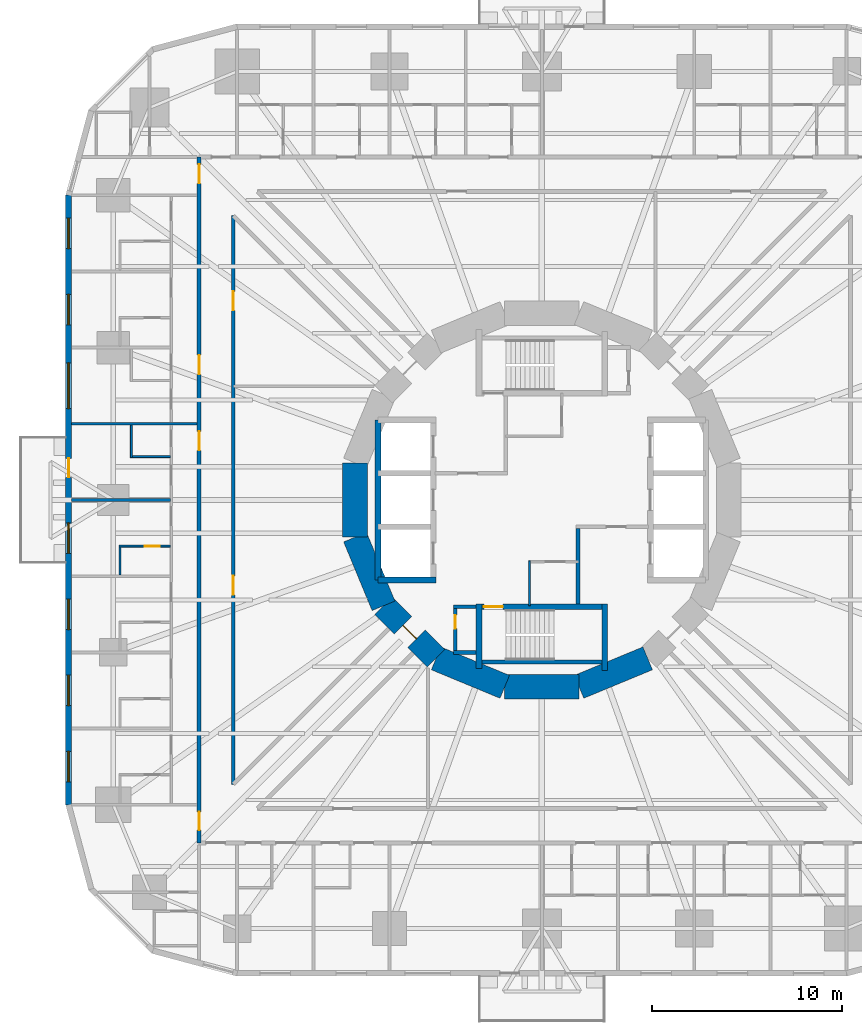
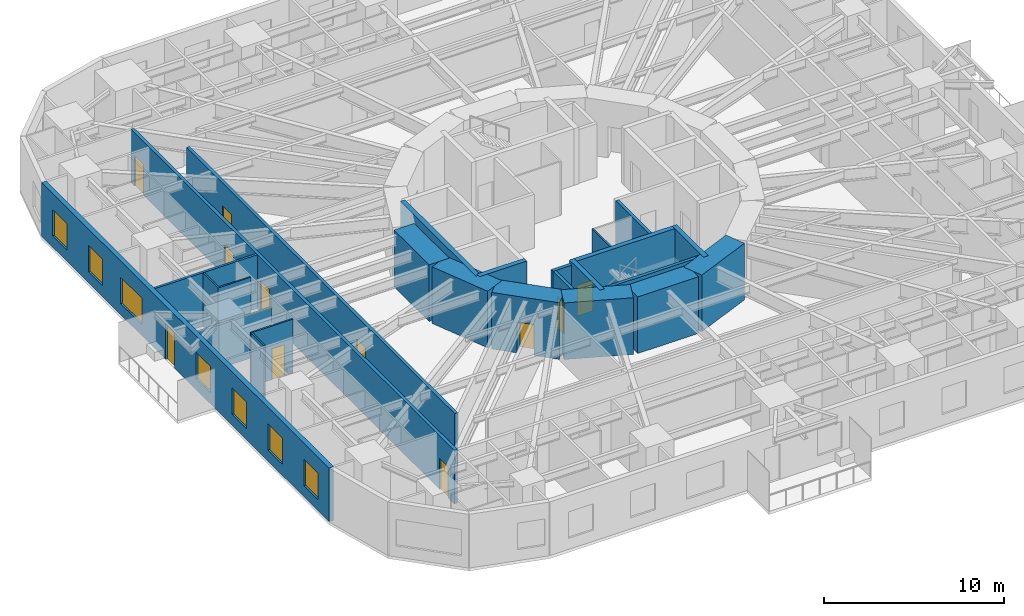
# One storey, part 6 of 14: 26 walls, 11 doors, 7 windows, 18 openings.
"""IFC4 building model written with IfcOpenShell, lengths in metres."""

from ifc_helpers import new_model, si_unit, direction, frame, frame_2d, origin, place, context, subcontext, project, spatial, rectangle, extrude, material, layer, layer_set, type_object, element, fill, save


model = new_model("IFC4")

# Units and contexts
model_context = context("Model", 3, precision=1e-05, world=origin(), true_north=direction((0.0, 1.0)))
body_context = subcontext(model_context, "Body", "Model", "MODEL_VIEW")
ifc_project = project(units=[si_unit("LENGTHUNIT", "METRE"), si_unit("AREAUNIT", "SQUARE_METRE"), si_unit("VOLUMEUNIT", "CUBIC_METRE"), si_unit("PLANEANGLEUNIT", "RADIAN"), si_unit("MASSUNIT", "GRAM", prefix="KILO")], contexts=[model_context])

# Site, building, storey
site_placement = place(None, origin())
site = spatial("IfcSite", under=ifc_project, at=site_placement, CompositionType="ELEMENT")
building_placement = place(site_placement, origin())
building = spatial("IfcBuilding", under=site, at=building_placement, Name="Nakasero Lantern House", CompositionType="ELEMENT")
storey_placement = place(building_placement, frame((0.0, 0.0, 27.550048828125)))
storey = spatial("IfcBuildingStorey", under=building, at=storey_placement, Name="L06", CompositionType="ELEMENT", Elevation=27.550048828125)

# Walls
ifc_material_1 = material(Name="Concrete C50/60", Category="concrete")
ifc_layer_1 = layer(ifc_material_1, 0.300048828125)
ifc_layer_set_1 = layer_set([ifc_layer_1], Name="Core inner wall 300")
wall_type_1 = type_object("IfcWallType", Name="Core inner wall 300", PredefinedType="SHEAR", material=ifc_layer_set_1)
wall_1_placement = place(storey_placement, frame((-8.60009765625, -4.199951171875, 0.0), z_axis=(0.0, 0.0, 1.0), x_axis=(1.0, 0.0, 0.0)))
element("IfcWall", 1, at=wall_1_placement, inside=storey, type_object=wall_type_1, Name="Core inner wall L06 LWS", PredefinedType="SHEAR", context=body_context, shape_type="SweptSolid", body=[
    extrude(rectangle(XDim=3.050048828125, YDim=0.300048828125, at=frame_2d((1.52490234375, 0.0))), origin(), (0.0, 0.0, 1.0), 3.849853515625),
])
wall_2_placement = place(storey_placement, frame((-8.60009765625, -4.199951171875, 0.0), z_axis=(0.0, 0.0, 1.0), x_axis=(0.0, 1.0, 0.0)))
element("IfcWall", 2, at=wall_2_placement, inside=storey, type_object=wall_type_1, Name="Core inner wall L06 LWB", PredefinedType="SHEAR", context=body_context, shape_type="SweptSolid", body=[
    extrude(rectangle(XDim=8.39990234375, YDim=0.300048828125, at=frame_2d((4.199951171875, 0.0))), origin(), (0.0, 0.0, 1.0), 3.849853515625),
])

# Wall, opening, door
wall_3_placement = place(storey_placement, frame((-3.449951171875, -5.60009765625, 0.0), z_axis=(0.0, 0.0, 1.0), x_axis=(1.0, 0.0, 0.0)))
wall_3 = element("IfcWall", 3, at=wall_3_placement, inside=storey, type_object=wall_type_1, Name="Core inner wall L06 SS", PredefinedType="SHEAR", context=body_context, shape_type="SweptSolid", body=[
    extrude(rectangle(XDim=6.89990234375, YDim=0.300048828125, at=frame_2d((3.449951171875, 0.0))), origin(), (0.0, 0.0, 1.0), 3.849853515625),
])
opening_1_placement = place(wall_3_placement, frame((0.39990234375, 0.0, 0.0)))
opening_1 = element("IfcOpeningElement", 4, at=opening_1_placement, cuts=wall_3, Name="Opening D05", PredefinedType="OPENING", context=body_context, shape_type="SweptSolid", body=[
    extrude(rectangle(XDim=1.0, YDim=2.10009765625, at=frame_2d((0.5, 1.050048828125))), frame((0.0, 0.169921875, 0.0), z_axis=(0.0, -1.0, 0.0), x_axis=(1.0, 0.0, 0.0)), (0.0, 0.0, 1.0), 0.340087890625),
])
ifc_material_2 = material(Name="Timber C24", Category="wood")
door_type_1 = type_object("IfcDoorType", Name="Core door FD60S 1000", OperationType="SINGLE_SWING_LEFT", PredefinedType="DOOR", material=ifc_material_2)
door_1_placement = place(opening_1_placement, origin())
door_1 = element("IfcDoor", 5, at=door_1_placement, inside=storey, type_object=door_type_1, Name="Door L06 D-ST2", OperationType="SINGLE_SWING_LEFT", OverallHeight=2.10009765625, OverallWidth=1.0, PredefinedType="DOOR", context=body_context, shape_type="SweptSolid", body=[
    extrude(rectangle(XDim=1.0, YDim=2.10009765625, at=frame_2d((0.5, 1.050048828125))), frame((0.0, 0.02490234375, 0.0), z_axis=(0.0, -1.0, 0.0), x_axis=(1.0, 0.0, 0.0)), (0.0, 0.0, 1.0), 0.050048828125),
])
fill(opening_1, door_1)

# Walls
wall_4_placement = place(storey_placement, frame((-3.300048828125, -5.449951171875, 0.0), z_axis=(0.0, 0.0, 1.0), x_axis=(0.0, -1.0, 0.0)))
element("IfcWall", 6, at=wall_4_placement, inside=storey, type_object=wall_type_1, Name="Core inner wall L06 SSW", PredefinedType="SHEAR", context=body_context, shape_type="SweptSolid", body=[
    extrude(rectangle(XDim=3.400146484375, YDim=0.300048828125, at=frame_2d((1.7001953125, 0.0))), origin(), (0.0, 0.0, 1.0), 3.849853515625),
])
wall_5_placement = place(storey_placement, frame((3.300048828125, -5.449951171875, 0.0), z_axis=(0.0, 0.0, 1.0), x_axis=(0.0, -1.0, 0.0)))
element("IfcWall", 7, at=wall_5_placement, inside=storey, type_object=wall_type_1, Name="Core inner wall L06 SSE", PredefinedType="SHEAR", context=body_context, shape_type="SweptSolid", body=[
    extrude(rectangle(XDim=3.5, YDim=0.300048828125, at=frame_2d((1.75, 0.0))), origin(), (0.0, 0.0, 1.0), 3.849853515625),
])
ifc_material_3 = material(Name="Blockwork", Category="masonry")
ifc_layer_2 = layer(ifc_material_3, 0.10009765625)
ifc_layer_set_2 = layer_set([ifc_layer_2], Name="Core room wall 100")
wall_type_2 = type_object("IfcWallType", Name="Core room wall 100", PredefinedType="PARTITIONING", material=ifc_layer_set_2)
wall_6_placement = place(storey_placement, frame((-0.64990234375, -5.550048828125, 0.0), z_axis=(0.0, 0.0, 1.0), x_axis=(0.0, 1.0, 0.0)))
element("IfcWall", 8, at=wall_6_placement, inside=storey, type_object=wall_type_2, Name="Core room wall L06 CR-SWW", PredefinedType="PARTITIONING", context=body_context, shape_type="SweptSolid", body=[
    extrude(rectangle(XDim=2.35009765625, YDim=0.10009765625, at=frame_2d((1.175048828125, 0.0))), origin(), (0.0, 0.0, 1.0), 3.64990234375),
])
ifc_material_4 = material(Name="Concrete C50/60", Category="concrete")
ifc_layer_3 = layer(ifc_material_4, 1.300048828125)
ifc_layer_set_3 = layer_set([ifc_layer_3], Name="Core wall 1300")
wall_type_3 = type_object("IfcWallType", Name="Core wall 1300", PredefinedType="SHEAR", material=ifc_layer_set_3)
for number, where, z_axis, x_axis, name in (
    (9, (-9.807861328125, 1.950927734375, 0.0), (0.0, 0.0, 1.0), (0.0, -1.0, 0.0), "Core wall L06 facet 8"),
    (10, (-9.807861328125, -1.950927734375, 0.0), (0.0, 0.0, 1.0), (0.382690736062, -0.923876507187, 0.0), "Core wall L06 facet 9"),
):
    element("IfcWall", number, at=place(storey_placement, frame(where, z_axis=z_axis, x_axis=x_axis)), inside=storey, type_object=wall_type_3, Name=name, PredefinedType="SHEAR", context=body_context, shape_type="SweptSolid", body=[
        extrude(rectangle(XDim=3.90185546875, YDim=1.300048828125, at=frame_2d((1.950927734375, 0.0))), origin(), (0.0, 0.0, 1.0), 3.849853515625),
    ])

# Wall, opening, door
wall_7_placement = place(storey_placement, frame((-8.314697265625, -5.5556640625, 0.0), z_axis=(0.0, 0.0, 1.0), x_axis=(0.707106781187, -0.707106781187, 0.0)))
wall_7 = element("IfcWall", 11, at=wall_7_placement, inside=storey, type_object=wall_type_3, Name="Core wall L06 facet 10", PredefinedType="SHEAR", context=body_context, shape_type="SweptSolid", body=[
    extrude(rectangle(XDim=3.90185546875, YDim=1.300048828125, at=frame_2d((1.950927734375, 0.0))), origin(), (0.0, 0.0, 1.0), 3.849853515625),
])
opening_2_placement = place(wall_7_placement, frame((1.450927734375, 0.0, 0.0)))
opening_2 = element("IfcOpeningElement", 12, at=opening_2_placement, cuts=wall_7, Name="Opening D05", PredefinedType="OPENING", context=body_context, shape_type="SweptSolid", body=[
    extrude(rectangle(XDim=1.0, YDim=2.10009765625, at=frame_2d((0.5, 1.050048828125))), frame((0.0, 0.669921875, 0.0), z_axis=(0.0, -1.0, 0.0), x_axis=(1.0, 0.0, 0.0)), (0.0, 0.0, 1.0), 1.340087890625),
])
door_2_placement = place(opening_2_placement, origin())
door_2 = element("IfcDoor", 13, at=door_2_placement, inside=storey, type_object=door_type_1, Name="Door L06 D-CORE10", OperationType="SINGLE_SWING_LEFT", OverallHeight=2.10009765625, OverallWidth=1.0, PredefinedType="DOOR", context=body_context, shape_type="SweptSolid", body=[
    extrude(rectangle(XDim=1.0, YDim=2.10009765625, at=frame_2d((0.5, 1.050048828125))), frame((0.0, 0.02490234375, 0.0), z_axis=(0.0, -1.0, 0.0), x_axis=(1.0, 0.0, 0.0)), (0.0, 0.0, 1.0), 0.050048828125),
])
fill(opening_2, door_2)

# Walls
for number, where, z_axis, x_axis, name in (
    (14, (-5.5556640625, -8.314697265625, 0.0), (0.0, 0.0, 1.0), (0.923876507187, -0.382690736062, 0.0), "Core wall L06 facet 11"),
    (15, (-1.950927734375, -9.807861328125, 0.0), (0.0, 0.0, 1.0), (1.0, 0.0, 0.0), "Core wall L06 facet 12"),
    (16, (1.950927734375, -9.807861328125, 0.0), (0.0, 0.0, 1.0), (0.923876507187, 0.382690736062, 0.0), "Core wall L06 facet 13"),
):
    element("IfcWall", number, at=place(storey_placement, frame(where, z_axis=z_axis, x_axis=x_axis)), inside=storey, type_object=wall_type_3, Name=name, PredefinedType="SHEAR", context=body_context, shape_type="SweptSolid", body=[
        extrude(rectangle(XDim=3.90185546875, YDim=1.300048828125, at=frame_2d((1.950927734375, 0.0))), origin(), (0.0, 0.0, 1.0), 3.849853515625),
    ])

# Wall, openings, doors
ifc_material_5 = material(Name="Blockwork", Category="masonry")
ifc_layer_4 = layer(ifc_material_5, 0.199951171875)
ifc_layer_set_4 = layer_set([ifc_layer_4], Name="Corridor wall 200")
wall_type_4 = type_object("IfcWallType", Name="Corridor wall 200", PredefinedType="PARTITIONING", material=ifc_layer_set_4)
wall_8_placement = place(storey_placement, frame((-18.0, 18.0, 0.0), z_axis=(0.0, 0.0, 1.0), x_axis=(0.0, -1.0, 0.0)))
wall_8 = element("IfcWall", 17, at=wall_8_placement, inside=storey, type_object=wall_type_4, Name="Corridor wall L06 CW2", PredefinedType="PARTITIONING", context=body_context, shape_type="SweptSolid", body=[
    extrude(rectangle(XDim=36.0, YDim=0.199951171875, at=frame_2d((18.0, 0.0))), origin(), (0.0, 0.0, 1.0), 3.64990234375),
])
opening_3_placement = place(wall_8_placement, frame((10.39990234375, 0.0, 0.0)))
opening_3 = element("IfcOpeningElement", 18, at=opening_3_placement, cuts=wall_8, Name="Opening D14", PredefinedType="OPENING", context=body_context, shape_type="SweptSolid", body=[
    extrude(rectangle(XDim=1.0, YDim=2.10009765625, at=frame_2d((0.5, 1.050048828125))), frame((0.0, 0.119873046875, 0.0), z_axis=(0.0, -1.0, 0.0), x_axis=(1.0, 0.0, 0.0)), (0.0, 0.0, 1.0), 0.239990234375),
])
opening_4_placement = place(wall_8_placement, frame((14.39990234375, 0.0, 0.0)))
opening_4 = element("IfcOpeningElement", 19, at=opening_4_placement, cuts=wall_8, Name="Opening D14", PredefinedType="OPENING", context=body_context, shape_type="SweptSolid", body=[
    extrude(rectangle(XDim=1.0, YDim=2.10009765625, at=frame_2d((0.5, 1.050048828125))), frame((0.0, 0.119873046875, 0.0), z_axis=(0.0, -1.0, 0.0), x_axis=(1.0, 0.0, 0.0)), (0.0, 0.0, 1.0), 0.239990234375),
])
opening_5_placement = place(wall_8_placement, frame((0.375, 0.0, 0.0)))
opening_5 = element("IfcOpeningElement", 20, at=opening_5_placement, cuts=wall_8, Name="Opening D07", PredefinedType="OPENING", context=body_context, shape_type="SweptSolid", body=[
    extrude(rectangle(XDim=1.0, YDim=2.10009765625, at=frame_2d((0.5, 1.050048828125))), frame((0.0, 0.119873046875, 0.0), z_axis=(0.0, -1.0, 0.0), x_axis=(1.0, 0.0, 0.0)), (0.0, 0.0, 1.0), 0.239990234375),
])
opening_6_placement = place(wall_8_placement, frame((34.375, 0.0, 0.0)))
opening_6 = element("IfcOpeningElement", 21, at=opening_6_placement, cuts=wall_8, Name="Opening D01", PredefinedType="OPENING", context=body_context, shape_type="SweptSolid", body=[
    extrude(rectangle(XDim=0.949951171875, YDim=2.10009765625, at=frame_2d((0.47509765625, 1.050048828125))), frame((0.0, 0.119873046875, 0.0), z_axis=(0.0, -1.0, 0.0), x_axis=(1.0, 0.0, 0.0)), (0.0, 0.0, 1.0), 0.239990234375),
])
ifc_material_6 = material(Name="Timber C24", Category="wood")
door_type_2 = type_object("IfcDoorType", Name="Bedroom door FD30S 950", OperationType="SINGLE_SWING_LEFT", PredefinedType="DOOR", material=ifc_material_6)
door_3_placement = place(opening_6_placement, origin())
door_3 = element("IfcDoor", 22, at=door_3_placement, inside=storey, type_object=door_type_2, Name="Door L06 D2-09", OperationType="SINGLE_SWING_RIGHT", OverallHeight=2.10009765625, OverallWidth=0.949951171875, PredefinedType="DOOR", context=body_context, shape_type="SweptSolid", body=[
    extrude(rectangle(XDim=0.949951171875, YDim=2.10009765625, at=frame_2d((0.47509765625, 1.050048828125))), frame((0.0, 0.02490234375, 0.0), z_axis=(0.0, -1.0, 0.0), x_axis=(1.0, 0.0, 0.0)), (0.0, 0.0, 1.0), 0.050048828125),
])
fill(opening_6, door_3)
ifc_material_7 = material(Name="Timber C24", Category="wood")
door_type_3 = type_object("IfcDoorType", Name="Cluster entrance door FD30S 1000", OperationType="SINGLE_SWING_LEFT", PredefinedType="DOOR", material=ifc_material_7)
door_4_placement = place(opening_3_placement, origin())
door_4 = element("IfcDoor", 23, at=door_4_placement, inside=storey, type_object=door_type_3, Name="Door L06 DF2-0", OperationType="SINGLE_SWING_LEFT", OverallHeight=2.10009765625, OverallWidth=1.0, PredefinedType="DOOR", context=body_context, shape_type="SweptSolid", body=[
    extrude(rectangle(XDim=1.0, YDim=2.10009765625, at=frame_2d((0.5, 1.050048828125))), frame((0.0, 0.02490234375, 0.0), z_axis=(0.0, -1.0, 0.0), x_axis=(1.0, 0.0, 0.0)), (0.0, 0.0, 1.0), 0.050048828125),
])
fill(opening_3, door_4)
door_5_placement = place(opening_4_placement, origin())
door_5 = element("IfcDoor", 24, at=door_5_placement, inside=storey, type_object=door_type_3, Name="Door L06 DF2-1", OperationType="SINGLE_SWING_LEFT", OverallHeight=2.10009765625, OverallWidth=1.0, PredefinedType="DOOR", context=body_context, shape_type="SweptSolid", body=[
    extrude(rectangle(XDim=1.0, YDim=2.10009765625, at=frame_2d((0.5, 1.050048828125))), frame((0.0, 0.02490234375, 0.0), z_axis=(0.0, -1.0, 0.0), x_axis=(1.0, 0.0, 0.0)), (0.0, 0.0, 1.0), 0.050048828125),
])
fill(opening_4, door_5)
ifc_material_8 = material(Name="Timber C24", Category="wood")
door_type_4 = type_object("IfcDoorType", Name="Room door FD30S 1000", OperationType="SINGLE_SWING_LEFT", PredefinedType="DOOR", material=ifc_material_8)
door_6_placement = place(opening_5_placement, origin())
door_6 = element("IfcDoor", 25, at=door_6_placement, inside=storey, type_object=door_type_4, Name="Door L06 D2-00", OperationType="SINGLE_SWING_LEFT", OverallHeight=2.10009765625, OverallWidth=1.0, PredefinedType="DOOR", context=body_context, shape_type="SweptSolid", body=[
    extrude(rectangle(XDim=1.0, YDim=2.10009765625, at=frame_2d((0.5, 1.050048828125))), frame((0.0, 0.02490234375, 0.0), z_axis=(0.0, -1.0, 0.0), x_axis=(1.0, 0.0, 0.0)), (0.0, 0.0, 1.0), 0.050048828125),
])
fill(opening_5, door_6)

wall_9_placement = place(storey_placement, frame((-16.199951171875, 14.92724609375, 0.0), z_axis=(0.0, 0.0, 1.0), x_axis=(0.0, -1.0, 0.0)))
wall_9 = element("IfcWall", 26, at=wall_9_placement, inside=storey, type_object=wall_type_4, Name="Corridor wall L06 IW2-0", PredefinedType="PARTITIONING", context=body_context, shape_type="SweptSolid", body=[
    extrude(rectangle(XDim=29.8544921875, YDim=0.199951171875, at=frame_2d((14.92724609375, 0.0))), origin(), (0.0, 0.0, 1.0), 3.64990234375),
])
opening_7_placement = place(wall_9_placement, frame((3.978271484375, 0.0, 0.0)))
opening_7 = element("IfcOpeningElement", 27, at=opening_7_placement, cuts=wall_9, Name="Opening D07", PredefinedType="OPENING", context=body_context, shape_type="SweptSolid", body=[
    extrude(rectangle(XDim=1.0, YDim=2.10009765625, at=frame_2d((0.5, 1.050048828125))), frame((0.0, 0.119873046875, 0.0), z_axis=(0.0, -1.0, 0.0), x_axis=(1.0, 0.0, 0.0)), (0.0, 0.0, 1.0), 0.239990234375),
])
opening_8_placement = place(wall_9_placement, frame((18.9052734375, 0.0, 0.0)))
opening_8 = element("IfcOpeningElement", 28, at=opening_8_placement, cuts=wall_9, Name="Opening D07", PredefinedType="OPENING", context=body_context, shape_type="SweptSolid", body=[
    extrude(rectangle(XDim=1.0, YDim=2.10009765625, at=frame_2d((0.5, 1.050048828125))), frame((0.0, 0.119873046875, 0.0), z_axis=(0.0, -1.0, 0.0), x_axis=(1.0, 0.0, 0.0)), (0.0, 0.0, 1.0), 0.239990234375),
])
door_7_placement = place(opening_7_placement, origin())
door_7 = element("IfcDoor", 29, at=door_7_placement, inside=storey, type_object=door_type_4, Name="Door L06 DI4", OperationType="SINGLE_SWING_LEFT", OverallHeight=2.10009765625, OverallWidth=1.0, PredefinedType="DOOR", context=body_context, shape_type="SweptSolid", body=[
    extrude(rectangle(XDim=1.0, YDim=2.10009765625, at=frame_2d((0.5, 1.050048828125))), frame((0.0, 0.02490234375, 0.0), z_axis=(0.0, -1.0, 0.0), x_axis=(1.0, 0.0, 0.0)), (0.0, 0.0, 1.0), 0.050048828125),
])
fill(opening_7, door_7)
door_8_placement = place(opening_8_placement, origin())
door_8 = element("IfcDoor", 30, at=door_8_placement, inside=storey, type_object=door_type_4, Name="Door L06 DI4S", OperationType="SINGLE_SWING_RIGHT", OverallHeight=2.10009765625, OverallWidth=1.0, PredefinedType="DOOR", context=body_context, shape_type="SweptSolid", body=[
    extrude(rectangle(XDim=1.0, YDim=2.10009765625, at=frame_2d((0.5, 1.050048828125))), frame((0.0, 0.02490234375, 0.0), z_axis=(0.0, -1.0, 0.0), x_axis=(1.0, 0.0, 0.0)), (0.0, 0.0, 1.0), 0.050048828125),
])
fill(opening_8, door_8)

# Walls
ifc_material_9 = material(Name="Blockwork", Category="masonry")
ifc_layer_5 = layer(ifc_material_9, 0.10009765625)
ifc_layer_set_5 = layer_set([ifc_layer_5], Name="En-suite wall 100")
wall_type_5 = type_object("IfcWallType", Name="En-suite wall 100", PredefinedType="PARTITIONING", material=ifc_layer_set_5)
wall_10_placement = place(storey_placement, frame((-19.5, 2.27490234375, 0.0), z_axis=(0.0, 0.0, 1.0), x_axis=(-1.0, 0.0, 0.0)))
element("IfcWall", 31, at=wall_10_placement, inside=storey, type_object=wall_type_5, Name="En-suite wall L06 SS2-1", PredefinedType="PARTITIONING", context=body_context, shape_type="SweptSolid", body=[
    extrude(rectangle(XDim=2.10009765625, YDim=0.10009765625, at=frame_2d((1.050048828125, 0.0))), origin(), (0.0, 0.0, 1.0), 3.64990234375),
])
wall_11_placement = place(storey_placement, frame((-21.550048828125, 3.925048828125, 0.0), z_axis=(0.0, 0.0, 1.0), x_axis=(0.0, -1.0, 0.0)))
element("IfcWall", 32, at=wall_11_placement, inside=storey, type_object=wall_type_5, Name="En-suite wall L06 SE2-1", PredefinedType="PARTITIONING", context=body_context, shape_type="SweptSolid", body=[
    extrude(rectangle(XDim=1.699951171875, YDim=0.10009765625, at=frame_2d((0.85009765625, 0.0))), origin(), (0.0, 0.0, 1.0), 3.64990234375),
])

# Wall, opening, door
wall_12_placement = place(storey_placement, frame((-19.5, -2.425048828125, 0.0), z_axis=(0.0, 0.0, 1.0), x_axis=(-1.0, 0.0, 0.0)))
wall_12 = element("IfcWall", 33, at=wall_12_placement, inside=storey, type_object=wall_type_5, Name="En-suite wall L06 ES2-05", PredefinedType="PARTITIONING", context=body_context, shape_type="SweptSolid", body=[
    extrude(rectangle(XDim=2.699951171875, YDim=0.10009765625, at=frame_2d((1.35009765625, 0.0))), origin(), (0.0, 0.0, 1.0), 3.64990234375),
])
opening_9_placement = place(wall_12_placement, frame((0.550048828125, 0.0, 0.0)))
opening_9 = element("IfcOpeningElement", 34, at=opening_9_placement, cuts=wall_12, Name="Opening D02", PredefinedType="OPENING", context=body_context, shape_type="SweptSolid", body=[
    extrude(rectangle(XDim=0.800048828125, YDim=2.10009765625, at=frame_2d((0.39990234375, 1.050048828125))), frame((0.0, 0.070068359375, 0.0), z_axis=(0.0, -1.0, 0.0), x_axis=(1.0, 0.0, 0.0)), (0.0, 0.0, 1.0), 0.14013671875),
])
ifc_material_10 = material(Name="Timber C24", Category="wood")
door_type_5 = type_object("IfcDoorType", Name="En-suite door 800", OperationType="SINGLE_SWING_RIGHT", PredefinedType="DOOR", material=ifc_material_10)
door_9_placement = place(opening_9_placement, origin())
door_9 = element("IfcDoor", 35, at=door_9_placement, inside=storey, type_object=door_type_5, Name="Door L06 DE2-05", OperationType="SINGLE_SWING_LEFT", OverallHeight=2.10009765625, OverallWidth=0.800048828125, PredefinedType="DOOR", context=body_context, shape_type="SweptSolid", body=[
    extrude(rectangle(XDim=0.800048828125, YDim=2.10009765625, at=frame_2d((0.39990234375, 1.050048828125))), frame((0.0, 0.02490234375, 0.0), z_axis=(0.0, -1.0, 0.0), x_axis=(1.0, 0.0, 0.0)), (0.0, 0.0, 1.0), 0.050048828125),
])
fill(opening_9, door_9)

# Wall
wall_13_placement = place(storey_placement, frame((-22.14990234375, -2.47509765625, 0.0), z_axis=(0.0, 0.0, 1.0), x_axis=(0.0, -1.0, 0.0)))
element("IfcWall", 36, at=wall_13_placement, inside=storey, type_object=wall_type_5, Name="En-suite wall L06 EE2-05", PredefinedType="PARTITIONING", context=body_context, shape_type="SweptSolid", body=[
    extrude(rectangle(XDim=1.449951171875, YDim=0.10009765625, at=frame_2d((0.72509765625, 0.0))), origin(), (0.0, 0.0, 1.0), 3.64990234375),
])

# Wall, openings, door, windows
ifc_material_11 = material(Name="Aluminium rainscreen on blockwork", Category="masonry")
ifc_layer_6 = layer(ifc_material_11, 0.300048828125)
ifc_layer_set_6 = layer_set([ifc_layer_6], Name="Facade wall 300")
wall_type_6 = type_object("IfcWallType", Name="Facade wall 300", PredefinedType="SOLIDWALL", material=ifc_layer_set_6)
wall_14_placement = place(storey_placement, frame((-24.85009765625, 16.0, 0.0), z_axis=(0.0, 0.0, 1.0), x_axis=(0.0, -1.0, 0.0)))
wall_14 = element("IfcWall", 37, at=wall_14_placement, inside=storey, type_object=wall_type_6, Name="Facade wall L06 FW2S", PredefinedType="SOLIDWALL", context=body_context, shape_type="SweptSolid", body=[
    extrude(rectangle(XDim=32.0, YDim=0.300048828125, at=frame_2d((16.0, 0.0))), origin(), (0.0, 0.0, 1.0), 3.64990234375),
])
opening_10_placement = place(wall_14_placement, frame((1.199951171875, 0.0, 0.75)))
opening_10 = element("IfcOpeningElement", 38, at=opening_10_placement, cuts=wall_14, Name="Opening W01", PredefinedType="OPENING", context=body_context, shape_type="SweptSolid", body=[
    extrude(rectangle(XDim=1.60009765625, YDim=1.800048828125, at=frame_2d((0.800048828125, 0.89990234375))), frame((0.0, 0.169921875, 0.0), z_axis=(0.0, -1.0, 0.0), x_axis=(1.0, 0.0, 0.0)), (0.0, 0.0, 1.0), 0.340087890625),
])
opening_11_placement = place(wall_14_placement, frame((5.199951171875, 0.0, 0.75)))
opening_11 = element("IfcOpeningElement", 39, at=opening_11_placement, cuts=wall_14, Name="Opening W01", PredefinedType="OPENING", context=body_context, shape_type="SweptSolid", body=[
    extrude(rectangle(XDim=1.60009765625, YDim=1.800048828125, at=frame_2d((0.800048828125, 0.89990234375))), frame((0.0, 0.169921875, 0.0), z_axis=(0.0, -1.0, 0.0), x_axis=(1.0, 0.0, 0.0)), (0.0, 0.0, 1.0), 0.340087890625),
])
opening_12_placement = place(wall_14_placement, frame((17.199951171875, 0.0, 0.75)))
opening_12 = element("IfcOpeningElement", 40, at=opening_12_placement, cuts=wall_14, Name="Opening W01", PredefinedType="OPENING", context=body_context, shape_type="SweptSolid", body=[
    extrude(rectangle(XDim=1.60009765625, YDim=1.800048828125, at=frame_2d((0.800048828125, 0.89990234375))), frame((0.0, 0.169921875, 0.0), z_axis=(0.0, -1.0, 0.0), x_axis=(1.0, 0.0, 0.0)), (0.0, 0.0, 1.0), 0.340087890625),
])
opening_13_placement = place(wall_14_placement, frame((21.199951171875, 0.0, 0.75)))
opening_13 = element("IfcOpeningElement", 41, at=opening_13_placement, cuts=wall_14, Name="Opening W01", PredefinedType="OPENING", context=body_context, shape_type="SweptSolid", body=[
    extrude(rectangle(XDim=1.60009765625, YDim=1.800048828125, at=frame_2d((0.800048828125, 0.89990234375))), frame((0.0, 0.169921875, 0.0), z_axis=(0.0, -1.0, 0.0), x_axis=(1.0, 0.0, 0.0)), (0.0, 0.0, 1.0), 0.340087890625),
])
opening_14_placement = place(wall_14_placement, frame((25.199951171875, 0.0, 0.75)))
opening_14 = element("IfcOpeningElement", 42, at=opening_14_placement, cuts=wall_14, Name="Opening W01", PredefinedType="OPENING", context=body_context, shape_type="SweptSolid", body=[
    extrude(rectangle(XDim=1.60009765625, YDim=1.800048828125, at=frame_2d((0.800048828125, 0.89990234375))), frame((0.0, 0.169921875, 0.0), z_axis=(0.0, -1.0, 0.0), x_axis=(1.0, 0.0, 0.0)), (0.0, 0.0, 1.0), 0.340087890625),
])
opening_15_placement = place(wall_14_placement, frame((29.199951171875, 0.0, 0.75)))
opening_15 = element("IfcOpeningElement", 43, at=opening_15_placement, cuts=wall_14, Name="Opening W01", PredefinedType="OPENING", context=body_context, shape_type="SweptSolid", body=[
    extrude(rectangle(XDim=1.60009765625, YDim=1.800048828125, at=frame_2d((0.800048828125, 0.89990234375))), frame((0.0, 0.169921875, 0.0), z_axis=(0.0, -1.0, 0.0), x_axis=(1.0, 0.0, 0.0)), (0.0, 0.0, 1.0), 0.340087890625),
])
opening_16_placement = place(wall_14_placement, frame((8.800048828125, 0.0, 0.75)))
opening_16 = element("IfcOpeningElement", 44, at=opening_16_placement, cuts=wall_14, Name="Opening W03", PredefinedType="OPENING", context=body_context, shape_type="SweptSolid", body=[
    extrude(rectangle(XDim=2.39990234375, YDim=1.800048828125, at=frame_2d((1.199951171875, 0.89990234375))), frame((0.0, 0.169921875, 0.0), z_axis=(0.0, -1.0, 0.0), x_axis=(1.0, 0.0, 0.0)), (0.0, 0.0, 1.0), 0.340087890625),
])
opening_17_placement = place(wall_14_placement, frame((13.8125, 0.0, 0.0)))
opening_17 = element("IfcOpeningElement", 45, at=opening_17_placement, cuts=wall_14, Name="Opening D04", PredefinedType="OPENING", context=body_context, shape_type="SweptSolid", body=[
    extrude(rectangle(XDim=1.0, YDim=2.39990234375, at=frame_2d((0.5, 1.199951171875))), frame((0.0, 0.169921875, 0.0), z_axis=(0.0, -1.0, 0.0), x_axis=(1.0, 0.0, 0.0)), (0.0, 0.0, 1.0), 0.340087890625),
])
ifc_material_12 = material(Name="Aluminium 6063-T6 and glass", Category="aluminium")
door_type_6 = type_object("IfcDoorType", Name="Balcony door 1000x2400", OperationType="SINGLE_SWING_RIGHT", PredefinedType="DOOR", material=ifc_material_12)
door_10_placement = place(opening_17_placement, origin())
door_10 = element("IfcDoor", 46, at=door_10_placement, inside=storey, type_object=door_type_6, Name="Balcony door L06 DB2", OperationType="SINGLE_SWING_RIGHT", OverallHeight=2.39990234375, OverallWidth=1.0, PredefinedType="DOOR", context=body_context, shape_type="SweptSolid", body=[
    extrude(rectangle(XDim=1.0, YDim=2.39990234375, at=frame_2d((0.5, 1.199951171875))), frame((0.0, 0.02490234375, 0.0), z_axis=(0.0, -1.0, 0.0), x_axis=(1.0, 0.0, 0.0)), (0.0, 0.0, 1.0), 0.050048828125),
])
fill(opening_17, door_10)
ifc_material_13 = material(Name="Aluminium 6063-T6 and glass", Category="aluminium")
window_type_1 = type_object("IfcWindowType", Name="Bedroom window 1600x1800", PartitioningType="SINGLE_PANEL", PredefinedType="WINDOW", material=ifc_material_13)
window_1_placement = place(opening_10_placement, origin())
window_1 = element("IfcWindow", 47, at=window_1_placement, inside=storey, type_object=window_type_1, Name="Window L06 WN2-01", OverallHeight=1.800048828125, OverallWidth=1.60009765625, PartitioningType="SINGLE_PANEL", PredefinedType="WINDOW", context=body_context, shape_type="SweptSolid", body=[
    extrude(rectangle(XDim=1.60009765625, YDim=1.800048828125, at=frame_2d((0.800048828125, 0.89990234375))), frame((0.0, 0.030029296875, 0.0), z_axis=(0.0, -1.0, 0.0), x_axis=(1.0, 0.0, 0.0)), (0.0, 0.0, 1.0), 0.06005859375),
])
fill(opening_10, window_1)
window_2_placement = place(opening_11_placement, origin())
window_2 = element("IfcWindow", 48, at=window_2_placement, inside=storey, type_object=window_type_1, Name="Window L06 WN2-02", OverallHeight=1.800048828125, OverallWidth=1.60009765625, PartitioningType="SINGLE_PANEL", PredefinedType="WINDOW", context=body_context, shape_type="SweptSolid", body=[
    extrude(rectangle(XDim=1.60009765625, YDim=1.800048828125, at=frame_2d((0.800048828125, 0.89990234375))), frame((0.0, 0.030029296875, 0.0), z_axis=(0.0, -1.0, 0.0), x_axis=(1.0, 0.0, 0.0)), (0.0, 0.0, 1.0), 0.06005859375),
])
fill(opening_11, window_2)
window_3_placement = place(opening_12_placement, origin())
window_3 = element("IfcWindow", 49, at=window_3_placement, inside=storey, type_object=window_type_1, Name="Window L06 WN2-05", OverallHeight=1.800048828125, OverallWidth=1.60009765625, PartitioningType="SINGLE_PANEL", PredefinedType="WINDOW", context=body_context, shape_type="SweptSolid", body=[
    extrude(rectangle(XDim=1.60009765625, YDim=1.800048828125, at=frame_2d((0.800048828125, 0.89990234375))), frame((0.0, 0.030029296875, 0.0), z_axis=(0.0, -1.0, 0.0), x_axis=(1.0, 0.0, 0.0)), (0.0, 0.0, 1.0), 0.06005859375),
])
fill(opening_12, window_3)
window_4_placement = place(opening_13_placement, origin())
window_4 = element("IfcWindow", 50, at=window_4_placement, inside=storey, type_object=window_type_1, Name="Window L06 WN2-06", OverallHeight=1.800048828125, OverallWidth=1.60009765625, PartitioningType="SINGLE_PANEL", PredefinedType="WINDOW", context=body_context, shape_type="SweptSolid", body=[
    extrude(rectangle(XDim=1.60009765625, YDim=1.800048828125, at=frame_2d((0.800048828125, 0.89990234375))), frame((0.0, 0.030029296875, 0.0), z_axis=(0.0, -1.0, 0.0), x_axis=(1.0, 0.0, 0.0)), (0.0, 0.0, 1.0), 0.06005859375),
])
fill(opening_13, window_4)
window_5_placement = place(opening_14_placement, origin())
window_5 = element("IfcWindow", 51, at=window_5_placement, inside=storey, type_object=window_type_1, Name="Window L06 WN2-07", OverallHeight=1.800048828125, OverallWidth=1.60009765625, PartitioningType="SINGLE_PANEL", PredefinedType="WINDOW", context=body_context, shape_type="SweptSolid", body=[
    extrude(rectangle(XDim=1.60009765625, YDim=1.800048828125, at=frame_2d((0.800048828125, 0.89990234375))), frame((0.0, 0.030029296875, 0.0), z_axis=(0.0, -1.0, 0.0), x_axis=(1.0, 0.0, 0.0)), (0.0, 0.0, 1.0), 0.06005859375),
])
fill(opening_14, window_5)
window_6_placement = place(opening_15_placement, origin())
window_6 = element("IfcWindow", 52, at=window_6_placement, inside=storey, type_object=window_type_1, Name="Window L06 WN2-08", OverallHeight=1.800048828125, OverallWidth=1.60009765625, PartitioningType="SINGLE_PANEL", PredefinedType="WINDOW", context=body_context, shape_type="SweptSolid", body=[
    extrude(rectangle(XDim=1.60009765625, YDim=1.800048828125, at=frame_2d((0.800048828125, 0.89990234375))), frame((0.0, 0.030029296875, 0.0), z_axis=(0.0, -1.0, 0.0), x_axis=(1.0, 0.0, 0.0)), (0.0, 0.0, 1.0), 0.06005859375),
])
fill(opening_15, window_6)
ifc_material_14 = material(Name="Aluminium 6063-T6 and glass", Category="aluminium")
window_type_2 = type_object("IfcWindowType", Name="Lounge window 2400x1800", PartitioningType="SINGLE_PANEL", PredefinedType="WINDOW", material=ifc_material_14)
window_7_placement = place(opening_16_placement, origin())
window_7 = element("IfcWindow", 53, at=window_7_placement, inside=storey, type_object=window_type_2, Name="Window L06 WK2", OverallHeight=1.800048828125, OverallWidth=2.39990234375, PartitioningType="SINGLE_PANEL", PredefinedType="WINDOW", context=body_context, shape_type="SweptSolid", body=[
    extrude(rectangle(XDim=2.39990234375, YDim=1.800048828125, at=frame_2d((1.199951171875, 0.89990234375))), frame((0.0, 0.030029296875, 0.0), z_axis=(0.0, -1.0, 0.0), x_axis=(1.0, 0.0, 0.0)), (0.0, 0.0, 1.0), 0.06005859375),
])
fill(opening_16, window_7)

# Wall
ifc_material_15 = material(Name="Blockwork", Category="masonry")
ifc_layer_7 = layer(ifc_material_15, 0.199951171875)
ifc_layer_set_7 = layer_set([ifc_layer_7], Name="Fire lobby wall 200")
wall_type_7 = type_object("IfcWallType", Name="Fire lobby wall 200", PredefinedType="PARTITIONING", material=ifc_layer_set_7)
wall_15_placement = place(storey_placement, frame((1.89990234375, -1.5, 0.0), z_axis=(0.0, 0.0, 1.0), x_axis=(0.0, -1.0, 0.0)))
element("IfcWall", 54, at=wall_15_placement, inside=storey, type_object=wall_type_7, Name="Fire lobby wall L06 W-FL2W", PredefinedType="PARTITIONING", context=body_context, shape_type="SweptSolid", body=[
    extrude(rectangle(XDim=3.949951171875, YDim=0.199951171875, at=frame_2d((1.97509765625, 0.0))), origin(), (0.0, 0.0, 1.0), 3.64990234375),
])

# Wall, opening, door
wall_16_placement = place(storey_placement, frame((-4.550048828125, -5.60009765625, 0.0), z_axis=(0.0, 0.0, 1.0), x_axis=(0.0, -1.0, 0.0)))
wall_16 = element("IfcWall", 55, at=wall_16_placement, inside=storey, type_object=wall_type_7, Name="Fire lobby wall L06 W-RS2W", PredefinedType="PARTITIONING", context=body_context, shape_type="SweptSolid", body=[
    extrude(rectangle(XDim=2.39990234375, YDim=0.199951171875, at=frame_2d((1.199951171875, 0.0))), origin(), (0.0, 0.0, 1.0), 3.64990234375),
])
opening_18_placement = place(wall_16_placement, frame((0.449951171875, 0.0, 0.0)))
opening_18 = element("IfcOpeningElement", 56, at=opening_18_placement, cuts=wall_16, Name="Opening D06", PredefinedType="OPENING", context=body_context, shape_type="SweptSolid", body=[
    extrude(rectangle(XDim=0.699951171875, YDim=2.10009765625, at=frame_2d((0.35009765625, 1.050048828125))), frame((0.0, 0.119873046875, 0.0), z_axis=(0.0, -1.0, 0.0), x_axis=(1.0, 0.0, 0.0)), (0.0, 0.0, 1.0), 0.239990234375),
])
ifc_material_16 = material(Name="Steel S355", Category="steel")
door_type_7 = type_object("IfcDoorType", Name="Riser door FD60 700", OperationType="SINGLE_SWING_LEFT", PredefinedType="DOOR", material=ifc_material_16)
door_11_placement = place(opening_18_placement, origin())
door_11 = element("IfcDoor", 57, at=door_11_placement, inside=storey, type_object=door_type_7, Name="Door L06 D-RS2", OperationType="SINGLE_SWING_LEFT", OverallHeight=2.10009765625, OverallWidth=0.699951171875, PredefinedType="DOOR", context=body_context, shape_type="SweptSolid", body=[
    extrude(rectangle(XDim=0.699951171875, YDim=2.10009765625, at=frame_2d((0.35009765625, 1.050048828125))), frame((0.0, 0.02490234375, 0.0), z_axis=(0.0, -1.0, 0.0), x_axis=(1.0, 0.0, 0.0)), (0.0, 0.0, 1.0), 0.050048828125),
])
fill(opening_18, door_11)

# Walls
for number, where, z_axis, x_axis, name in (
    (58, (-3.449951171875, -8.0, 0.0), (0.0, 0.0, 1.0), (-1.0, 0.0, 0.0), "Fire lobby wall L06 W-RS2S"),
    (59, (-3.449951171875, -5.60009765625, 0.0), (0.0, 0.0, 1.0), (-1.0, 0.0, 0.0), "Fire lobby wall L06 W-RS2N"),
):
    element("IfcWall", number, at=place(storey_placement, frame(where, z_axis=z_axis, x_axis=x_axis)), inside=storey, type_object=wall_type_7, Name=name, PredefinedType="PARTITIONING", context=body_context, shape_type="SweptSolid", body=[
        extrude(rectangle(XDim=1.199951171875, YDim=0.199951171875, at=frame_2d((0.60009765625, 0.0))), origin(), (0.0, 0.0, 1.0), 3.64990234375),
    ])
wall_17_placement = place(storey_placement, frame((-3.300048828125, -8.5, 0.0), z_axis=(0.0, 0.0, 1.0), x_axis=(1.0, 0.0, 0.0)))
element("IfcWall", 60, at=wall_17_placement, inside=storey, type_object=wall_type_7, Name="Fire lobby wall L06 W-STS", PredefinedType="PARTITIONING", context=body_context, shape_type="SweptSolid", body=[
    extrude(rectangle(XDim=6.60009765625, YDim=0.199951171875, at=frame_2d((3.300048828125, 0.0))), origin(), (0.0, 0.0, 1.0), 3.64990234375),
])
ifc_material_17 = material(Name="Blockwork", Category="masonry")
ifc_layer_8 = layer(ifc_material_17, 0.14990234375)
ifc_layer_set_8 = layer_set([ifc_layer_8], Name="Party wall 150")
wall_type_8 = type_object("IfcWallType", Name="Party wall 150", PredefinedType="PARTITIONING", material=ifc_layer_set_8)
wall_18_placement = place(storey_placement, frame((-18.10009765625, 4.0, 0.0), z_axis=(0.0, 0.0, 1.0), x_axis=(-1.0, 0.0, 0.0)))
element("IfcWall", 61, at=wall_18_placement, inside=storey, type_object=wall_type_8, Name="Party wall L06 PW2-04", PredefinedType="PARTITIONING", context=body_context, shape_type="SweptSolid", body=[
    extrude(rectangle(XDim=6.599853515625, YDim=0.14990234375, at=frame_2d((3.2998046875, 0.0))), origin(), (0.0, 0.0, 1.0), 3.64990234375),
])
wall_19_placement = place(storey_placement, frame((-19.5, 0.0, 0.0), z_axis=(0.0, 0.0, 1.0), x_axis=(-1.0, 0.0, 0.0)))
element("IfcWall", 62, at=wall_19_placement, inside=storey, type_object=wall_type_8, Name="Party wall L06 PW2-05", PredefinedType="PARTITIONING", context=body_context, shape_type="SweptSolid", body=[
    extrude(rectangle(XDim=5.199951171875, YDim=0.14990234375, at=frame_2d((2.60009765625, 0.0))), origin(), (0.0, 0.0, 1.0), 2.95703125),
])

save(model, "model.ifc")
